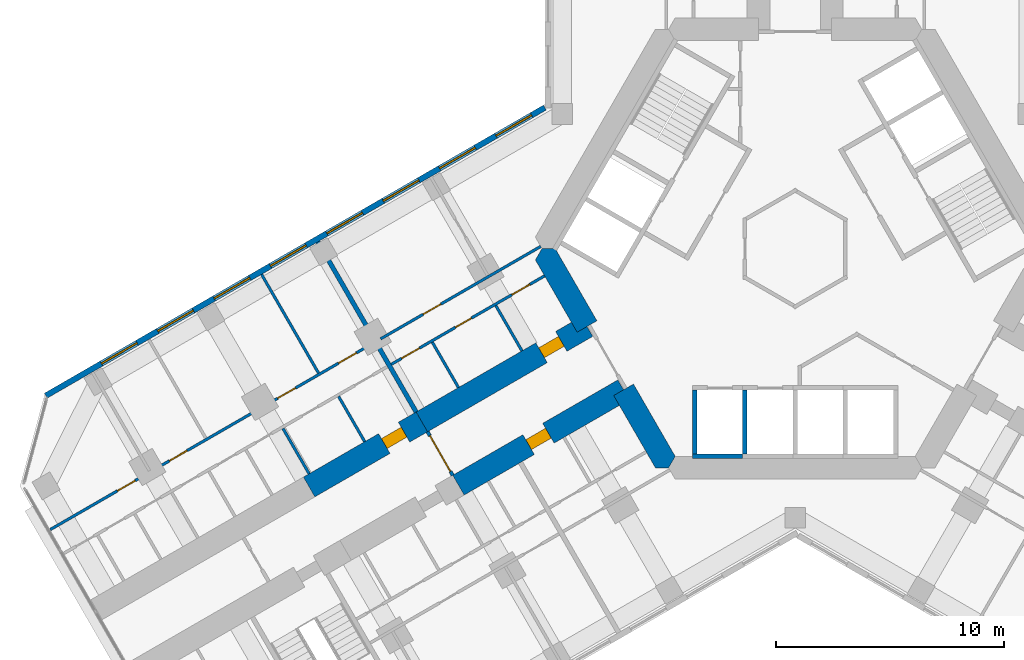
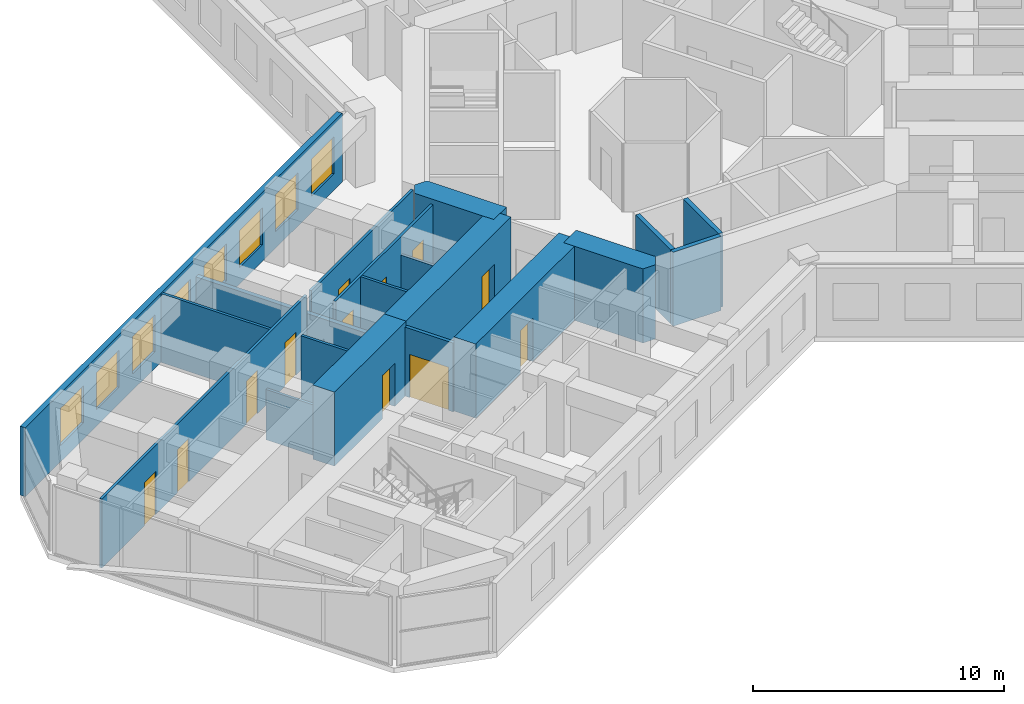
# One storey, part 12 of 21: 19 walls, 12 doors, 8 windows, 20 openings.
"""IFC4 building model written with IfcOpenShell, lengths in metres."""

from ifc_helpers import new_model, si_unit, direction, frame, frame_2d, origin, place, context, subcontext, project, spatial, polyline, rectangle, outline, extrude, material, layer, layer_set, type_object, element, fill, save


model = new_model("IFC4")

# Units and contexts
model_context = context("Model", 3, precision=1e-05, world=origin(), true_north=direction((0.0, 1.0)))
body_context = subcontext(model_context, "Body", "Model", "MODEL_VIEW")
ifc_project = project(units=[si_unit("LENGTHUNIT", "METRE"), si_unit("AREAUNIT", "SQUARE_METRE"), si_unit("VOLUMEUNIT", "CUBIC_METRE"), si_unit("PLANEANGLEUNIT", "RADIAN"), si_unit("MASSUNIT", "GRAM", prefix="KILO")], contexts=[model_context])

# Site, building, storey
site_placement = place(None, origin())
site = spatial("IfcSite", under=ifc_project, at=site_placement, CompositionType="ELEMENT")
building_placement = place(site_placement, origin())
building = spatial("IfcBuilding", under=site, at=building_placement, Name="Kosmar Iwan School Tower", CompositionType="ELEMENT")
storey_placement = place(building_placement, frame((0.0, 0.0, 98.800048828125)))
storey = spatial("IfcBuildingStorey", under=building, at=storey_placement, Name="L24", CompositionType="ELEMENT", Elevation=98.800048828125)

# Walls
ifc_material_1 = material(Name="Concrete C50/60", Category="concrete")
ifc_layer_1 = layer(ifc_material_1, 1.0)
ifc_layer_set_1 = layer_set([ifc_layer_1], Name="Core wall 1000")
wall_type_1 = type_object("IfcWallType", Name="Core wall 1000", PredefinedType="SHEAR", material=ifc_layer_set_1)
wall_1_placement = place(storey_placement, origin())
element("IfcWall", 1, at=wall_1_placement, inside=storey, type_object=wall_type_1, Name="Core wall F210a", PredefinedType="SHEAR", context=body_context, shape_type="SweptSolid", body=[
    extrude(outline(polyline([(-9.546875, -3.664306640625), (-8.680908203125, -3.164306640625), (-10.5078125, 0.0), (-11.085205078125, 0.0), (-11.373779296875, -0.5), (-9.546875, -3.664306640625)])), origin(), (0.0, 0.0, 1.0), 3.599853515625),
])
wall_2_placement = place(storey_placement, origin())
element("IfcWall", 2, at=wall_2_placement, inside=storey, type_object=wall_type_1, Name="Core wall F210b", PredefinedType="SHEAR", context=body_context, shape_type="SweptSolid", body=[
    extrude(outline(polyline([(-6.119873046875, -9.60009765625), (-5.54248046875, -9.60009765625), (-5.25390625, -9.10009765625), (-7.080810546875, -5.935546875), (-7.94677734375, -6.435546875), (-6.119873046875, -9.60009765625)])), origin(), (0.0, 0.0, 1.0), 3.599853515625),
])

# Wall, opening, door
ifc_material_2 = material(Name="Concrete C50/60", Category="concrete")
ifc_layer_2 = layer(ifc_material_2, 1.0)
ifc_layer_set_2 = layer_set([ifc_layer_2], Name="Corridor buttress wall 1000")
wall_type_2 = type_object("IfcWallType", Name="Corridor buttress wall 1000", PredefinedType="SHEAR", material=ifc_layer_set_2)
wall_3_placement = place(storey_placement, frame((-7.513916015625, -6.185546875, 0.0), z_axis=(0.0, 0.0, 1.0), x_axis=(-0.866019549707, -0.500010139422, 0.0)))
wall_3 = element("IfcWall", 3, at=wall_3_placement, inside=storey, type_object=wall_type_2, Name="Corridor wall BL", PredefinedType="SHEAR", context=body_context, shape_type="SweptSolid", body=[
    extrude(rectangle(XDim=8.349853515625, YDim=1.0, at=frame_2d((4.1748046875, 0.0))), origin(), (0.0, 0.0, 1.0), 3.599853515625),
])
opening_1_placement = place(wall_3_placement, frame((3.800048828125, 0.0, 0.0)))
opening_1 = element("IfcOpeningElement", 4, at=opening_1_placement, cuts=wall_3, Name="Opening D1", PredefinedType="OPENING", context=body_context, shape_type="SweptSolid", body=[
    extrude(rectangle(XDim=1.0, YDim=2.10009765625, at=frame_2d((0.5, 1.050048828125))), frame((0.0, 0.511962890625, 0.0), z_axis=(0.0, -1.0, 0.0), x_axis=(1.0, 0.0, 0.0)), (0.0, 0.0, 1.0), 1.02392578125),
])
ifc_material_3 = material(Name="Timber fire door in steel frame", Category="steel")
door_type_1 = type_object("IfcDoorType", Name="Flat entrance door 1000x2100", OperationType="SINGLE_SWING_LEFT", PredefinedType="DOOR", material=ifc_material_3)
door_1_placement = place(opening_1_placement, origin())
door_1 = element("IfcDoor", 5, at=door_1_placement, inside=storey, type_object=door_type_1, Name="Flat L24-BL1 entrance door", OperationType="SINGLE_SWING_LEFT", OverallHeight=2.10009765625, OverallWidth=1.0, PredefinedType="DOOR", context=body_context, shape_type="SweptSolid", body=[
    extrude(rectangle(XDim=1.0, YDim=2.10009765625, at=frame_2d((0.5, 1.050048828125))), frame((0.0, 0.25, 0.0), z_axis=(0.0, -1.0, 0.0), x_axis=(1.0, 0.0, 0.0)), (0.0, 0.0, 1.0), 0.5),
])
fill(opening_1, door_1)

wall_4_placement = place(storey_placement, frame((-9.11376953125, -3.414306640625, 0.0), z_axis=(0.0, 0.0, 1.0), x_axis=(-0.866026859388, -0.499997478812, 0.0)))
wall_4 = element("IfcWall", 6, at=wall_4_placement, inside=storey, type_object=wall_type_2, Name="Corridor wall BR", PredefinedType="SHEAR", context=body_context, shape_type="SweptSolid", body=[
    extrude(rectangle(XDim=8.35009765625, YDim=1.0, at=frame_2d((4.175048828125, 0.0))), origin(), (0.0, 0.0, 1.0), 3.599853515625),
])
opening_2_placement = place(wall_4_placement, frame((1.300048828125, 0.0, 0.0)))
opening_2 = element("IfcOpeningElement", 7, at=opening_2_placement, cuts=wall_4, Name="Opening D1", PredefinedType="OPENING", context=body_context, shape_type="SweptSolid", body=[
    extrude(rectangle(XDim=1.0, YDim=2.10009765625, at=frame_2d((0.5, 1.050048828125))), frame((0.0, 0.511962890625, 0.0), z_axis=(0.0, -1.0, 0.0), x_axis=(1.0, 0.0, 0.0)), (0.0, 0.0, 1.0), 1.02392578125),
])
door_2_placement = place(opening_2_placement, origin())
door_2 = element("IfcDoor", 8, at=door_2_placement, inside=storey, type_object=door_type_1, Name="Flat L24-BR1 entrance door", OperationType="SINGLE_SWING_LEFT", OverallHeight=2.10009765625, OverallWidth=1.0, PredefinedType="DOOR", context=body_context, shape_type="SweptSolid", body=[
    extrude(rectangle(XDim=1.0, YDim=2.10009765625, at=frame_2d((0.5, 1.050048828125))), frame((0.0, 0.25, 0.0), z_axis=(0.0, -1.0, 0.0), x_axis=(1.0, 0.0, 0.0)), (0.0, 0.0, 1.0), 0.5),
])
fill(opening_2, door_2)

wall_5_placement = place(storey_placement, frame((-16.34521484375, -7.58935546875, 0.0), z_axis=(0.0, 0.0, 1.0), x_axis=(-0.866015111908, -0.50001782563, 0.0)))
wall_5 = element("IfcWall", 9, at=wall_5_placement, inside=storey, type_object=wall_type_2, Name="Corridor wall BR bay 2", PredefinedType="SHEAR", context=body_context, shape_type="SweptSolid", body=[
    extrude(rectangle(XDim=5.699951171875, YDim=1.0, at=frame_2d((2.85009765625, 0.0))), origin(), (0.0, 0.0, 1.0), 3.599853515625),
])
opening_3_placement = place(wall_5_placement, frame((0.89990234375, 0.0, 0.0)))
opening_3 = element("IfcOpeningElement", 10, at=opening_3_placement, cuts=wall_5, Name="Opening D1", PredefinedType="OPENING", context=body_context, shape_type="SweptSolid", body=[
    extrude(rectangle(XDim=1.0, YDim=2.10009765625, at=frame_2d((0.5, 1.050048828125))), frame((0.0, 0.511962890625, 0.0), z_axis=(0.0, -1.0, 0.0), x_axis=(1.0, 0.0, 0.0)), (0.0, 0.0, 1.0), 1.02392578125),
])
door_3_placement = place(opening_3_placement, origin())
door_3 = element("IfcDoor", 11, at=door_3_placement, inside=storey, type_object=door_type_1, Name="Flat L24-BR2 entrance door", OperationType="SINGLE_SWING_LEFT", OverallHeight=2.10009765625, OverallWidth=1.0, PredefinedType="DOOR", context=body_context, shape_type="SweptSolid", body=[
    extrude(rectangle(XDim=1.0, YDim=2.10009765625, at=frame_2d((0.5, 1.050048828125))), frame((0.0, 0.25, 0.0), z_axis=(0.0, -1.0, 0.0), x_axis=(1.0, 0.0, 0.0)), (0.0, 0.0, 1.0), 0.5),
])
fill(opening_3, door_3)

ifc_material_4 = material(Name="Gypsum board on steel studs, fire-rated", Category="steel")
ifc_layer_3 = layer(ifc_material_4, 0.14990234375)
ifc_layer_set_3 = layer_set([ifc_layer_3], Name="Corridor end wall 150")
wall_type_3 = type_object("IfcWallType", Name="Corridor end wall 150", PredefinedType="PARTITIONING", material=ifc_layer_set_3)
wall_6_placement = place(storey_placement, frame((-16.09521484375, -8.0224609375, 0.0), z_axis=(0.0, 0.0, 1.0), x_axis=(0.50002983664, -0.866008176907, 0.0)))
wall_6 = element("IfcWall", 12, at=wall_6_placement, inside=storey, type_object=wall_type_3, Name="Partition L24-B-HW", PredefinedType="PARTITIONING", context=body_context, shape_type="SweptSolid", body=[
    extrude(rectangle(XDim=2.199951171875, YDim=0.14990234375, at=frame_2d((1.10009765625, 0.0))), origin(), (0.0, 0.0, 1.0), 3.349853515625),
])
opening_4_placement = place(wall_6_placement, frame((0.199951171875, 0.0, 0.0)))
opening_4 = element("IfcOpeningElement", 13, at=opening_4_placement, cuts=wall_6, Name="Opening D9", PredefinedType="OPENING", context=body_context, shape_type="SweptSolid", body=[
    extrude(rectangle(XDim=1.800048828125, YDim=2.10009765625, at=frame_2d((0.89990234375, 1.050048828125))), frame((0.0, 0.0869140625, 0.0), z_axis=(0.0, -1.0, 0.0), x_axis=(1.0, 0.0, 0.0)), (0.0, 0.0, 1.0), 0.173828125),
])
ifc_material_5 = material(Name="Steel framed glazed smoke door", Category="steel")
door_type_2 = type_object("IfcDoorType", Name="Corridor smoke door pair 1800x2100", OperationType="DOUBLE_DOOR_DOUBLE_SWING", PredefinedType="DOOR", material=ifc_material_5)
door_4_placement = place(opening_4_placement, origin())
door_4 = element("IfcDoor", 14, at=door_4_placement, inside=storey, type_object=door_type_2, Name="Entrance vestibule smoke doors L24-B", OperationType="DOUBLE_DOOR_DOUBLE_SWING", OverallHeight=2.10009765625, OverallWidth=1.800048828125, PredefinedType="DOOR", context=body_context, shape_type="SweptSolid", body=[
    extrude(rectangle(XDim=1.800048828125, YDim=2.10009765625, at=frame_2d((0.89990234375, 1.050048828125))), frame((0.0, 0.02490234375, 0.0), z_axis=(0.0, -1.0, 0.0), x_axis=(1.0, 0.0, 0.0)), (0.0, 0.0, 1.0), 0.050048828125),
])
fill(opening_4, door_4)

# Wall, openings, doors
ifc_material_6 = material(Name="Gypsum board on steel studs", Category="steel")
ifc_layer_4 = layer(ifc_material_6, 0.1201171875)
ifc_layer_set_4 = layer_set([ifc_layer_4], Name="Dwelling partition 120")
wall_type_4 = type_object("IfcWallType", Name="Dwelling partition 120", PredefinedType="PARTITIONING", material=ifc_layer_set_4)
wall_7_placement = place(storey_placement, frame((-10.971923828125, -1.1962890625, 0.0), z_axis=(0.0, 0.0, 1.0), x_axis=(-0.866024534185, -0.500001506187, 0.0)))
wall_7 = element("IfcWall", 15, at=wall_7_placement, inside=storey, type_object=wall_type_4, Name="Partition L24-BR1-W1", PredefinedType="PARTITIONING", context=body_context, shape_type="SweptSolid", body=[
    extrude(rectangle(XDim=7.75, YDim=0.1201171875, at=frame_2d((3.875, 0.0))), origin(), (0.0, 0.0, 1.0), 3.349853515625),
])
opening_5_placement = place(wall_7_placement, frame((0.75, 0.0, 0.0)))
opening_5 = element("IfcOpeningElement", 16, at=opening_5_placement, cuts=wall_7, Name="Opening D2", PredefinedType="OPENING", context=body_context, shape_type="SweptSolid", body=[
    extrude(rectangle(XDim=0.89990234375, YDim=2.10009765625, at=frame_2d((0.449951171875, 1.050048828125))), frame((0.0, 0.072021484375, 0.0), z_axis=(0.0, -1.0, 0.0), x_axis=(1.0, 0.0, 0.0)), (0.0, 0.0, 1.0), 0.14404296875),
])
opening_6_placement = place(wall_7_placement, frame((3.705078125, 0.0, 0.0)))
opening_6 = element("IfcOpeningElement", 17, at=opening_6_placement, cuts=wall_7, Name="Opening D3", PredefinedType="OPENING", context=body_context, shape_type="SweptSolid", body=[
    extrude(rectangle(XDim=0.800048828125, YDim=2.10009765625, at=frame_2d((0.39990234375, 1.050048828125))), frame((0.0, 0.072021484375, 0.0), z_axis=(0.0, -1.0, 0.0), x_axis=(1.0, 0.0, 0.0)), (0.0, 0.0, 1.0), 0.14404296875),
])
opening_7_placement = place(wall_7_placement, frame((6.330078125, 0.0, 0.0)))
opening_7 = element("IfcOpeningElement", 18, at=opening_7_placement, cuts=wall_7, Name="Opening D2", PredefinedType="OPENING", context=body_context, shape_type="SweptSolid", body=[
    extrude(rectangle(XDim=0.89990234375, YDim=2.10009765625, at=frame_2d((0.449951171875, 1.050048828125))), frame((0.0, 0.072021484375, 0.0), z_axis=(0.0, -1.0, 0.0), x_axis=(1.0, 0.0, 0.0)), (0.0, 0.0, 1.0), 0.14404296875),
])
ifc_material_7 = material(Name="Timber door in timber frame", Category="wood")
door_type_3 = type_object("IfcDoorType", Name="Internal door 900x2100", OperationType="SINGLE_SWING_LEFT", PredefinedType="DOOR", material=ifc_material_7)
door_5_placement = place(opening_5_placement, origin())
door_5 = element("IfcDoor", 19, at=door_5_placement, inside=storey, type_object=door_type_3, Name="Entrance hall door L24-BR1-S1", OperationType="SINGLE_SWING_LEFT", OverallHeight=2.10009765625, OverallWidth=0.89990234375, PredefinedType="DOOR", context=body_context, shape_type="SweptSolid", body=[
    extrude(rectangle(XDim=0.89990234375, YDim=2.10009765625, at=frame_2d((0.449951171875, 1.050048828125))), frame((0.0, 0.02490234375, 0.0), z_axis=(0.0, -1.0, 0.0), x_axis=(1.0, 0.0, 0.0)), (0.0, 0.0, 1.0), 0.050048828125),
])
fill(opening_5, door_5)
door_6_placement = place(opening_7_placement, origin())
door_6 = element("IfcDoor", 20, at=door_6_placement, inside=storey, type_object=door_type_3, Name="Pantry door L24-BR1-S3", OperationType="SINGLE_SWING_RIGHT", OverallHeight=2.10009765625, OverallWidth=0.89990234375, PredefinedType="DOOR", context=body_context, shape_type="SweptSolid", body=[
    extrude(rectangle(XDim=0.89990234375, YDim=2.10009765625, at=frame_2d((0.449951171875, 1.050048828125))), frame((0.0, 0.02490234375, 0.0), z_axis=(0.0, -1.0, 0.0), x_axis=(1.0, 0.0, 0.0)), (0.0, 0.0, 1.0), 0.050048828125),
])
fill(opening_7, door_6)
ifc_material_8 = material(Name="Timber door in timber frame", Category="wood")
door_type_4 = type_object("IfcDoorType", Name="Sanitary room door 800x2100", OperationType="SINGLE_SWING_LEFT", PredefinedType="DOOR", material=ifc_material_8)
door_7_placement = place(opening_6_placement, origin())
door_7 = element("IfcDoor", 21, at=door_7_placement, inside=storey, type_object=door_type_4, Name="Bathroom door L24-BR1-S2", OperationType="SINGLE_SWING_RIGHT", OverallHeight=2.10009765625, OverallWidth=0.800048828125, PredefinedType="DOOR", context=body_context, shape_type="SweptSolid", body=[
    extrude(rectangle(XDim=0.800048828125, YDim=2.10009765625, at=frame_2d((0.39990234375, 1.050048828125))), frame((0.0, 0.02490234375, 0.0), z_axis=(0.0, -1.0, 0.0), x_axis=(1.0, 0.0, 0.0)), (0.0, 0.0, 1.0), 0.050048828125),
])
fill(opening_6, door_7)

# Wall, opening, door
wall_8_placement = place(storey_placement, frame((-11.138916015625, 0.093017578125, 0.0), z_axis=(0.0, 0.0, 1.0), x_axis=(-0.866017937352, -0.500012932018, 0.0)))
wall_8 = element("IfcWall", 22, at=wall_8_placement, inside=storey, type_object=wall_type_4, Name="Partition L24-BR1-W2", PredefinedType="PARTITIONING", context=body_context, shape_type="SweptSolid", body=[
    extrude(rectangle(XDim=8.099853515625, YDim=0.1201171875, at=frame_2d((4.0498046875, 0.0))), origin(), (0.0, 0.0, 1.0), 3.349853515625),
])
opening_8_placement = place(wall_8_placement, frame((5.050048828125, 0.0, 0.0)))
opening_8 = element("IfcOpeningElement", 23, at=opening_8_placement, cuts=wall_8, Name="Opening D2", PredefinedType="OPENING", context=body_context, shape_type="SweptSolid", body=[
    extrude(rectangle(XDim=0.89990234375, YDim=2.10009765625, at=frame_2d((0.449951171875, 1.050048828125))), frame((0.0, 0.072021484375, 0.0), z_axis=(0.0, -1.0, 0.0), x_axis=(1.0, 0.0, 0.0)), (0.0, 0.0, 1.0), 0.14404296875),
])
door_8_placement = place(opening_8_placement, origin())
door_8 = element("IfcDoor", 24, at=door_8_placement, inside=storey, type_object=door_type_3, Name="Studio living room door L24-BR1-F2", OperationType="SINGLE_SWING_RIGHT", OverallHeight=2.10009765625, OverallWidth=0.89990234375, PredefinedType="DOOR", context=body_context, shape_type="SweptSolid", body=[
    extrude(rectangle(XDim=0.89990234375, YDim=2.10009765625, at=frame_2d((0.449951171875, 1.050048828125))), frame((0.0, 0.02490234375, 0.0), z_axis=(0.0, -1.0, 0.0), x_axis=(1.0, 0.0, 0.0)), (0.0, 0.0, 1.0), 0.050048828125),
])
fill(opening_8, door_8)

# Walls
wall_9_placement = place(storey_placement, frame((-11.9619140625, -4.4814453125, 0.0), z_axis=(0.0, 0.0, 1.0), x_axis=(-0.499968531483, 0.866043571379, 0.0)))
element("IfcWall", 25, at=wall_9_placement, inside=storey, type_object=wall_type_4, Name="Partition L24-BR1-Y1", PredefinedType="PARTITIONING", context=body_context, shape_type="SweptSolid", body=[
    extrude(rectangle(XDim=2.290283203125, YDim=0.1201171875, at=frame_2d((1.14501953125, 0.0))), origin(), (0.0, 0.0, 1.0), 2.449951171875),
])
wall_10_placement = place(storey_placement, frame((-14.741943359375, -6.08642578125, 0.0), z_axis=(0.0, 0.0, 1.0), x_axis=(-0.499968531483, 0.866043571379, 0.0)))
element("IfcWall", 26, at=wall_10_placement, inside=storey, type_object=wall_type_4, Name="Partition L24-BR1-Y2", PredefinedType="PARTITIONING", context=body_context, shape_type="SweptSolid", body=[
    extrude(rectangle(XDim=2.290283203125, YDim=0.1201171875, at=frame_2d((1.14501953125, 0.0))), origin(), (0.0, 0.0, 1.0), 3.349853515625),
])

# Wall, openings, doors
wall_11_placement = place(storey_placement, frame((-18.456787109375, -4.1318359375, 0.0), z_axis=(0.0, 0.0, 1.0), x_axis=(-0.866023907196, -0.500002592159, 0.0)))
wall_11 = element("IfcWall", 27, at=wall_11_placement, inside=storey, type_object=wall_type_4, Name="Partition L24-BR2-W2", PredefinedType="PARTITIONING", context=body_context, shape_type="SweptSolid", body=[
    extrude(rectangle(XDim=16.34521484375, YDim=0.1201171875, at=frame_2d((8.172607421875, 0.0))), origin(), (0.0, 0.0, 1.0), 3.349853515625),
])
opening_9_placement = place(wall_11_placement, frame((0.875, 0.0, 0.0)))
opening_9 = element("IfcOpeningElement", 28, at=opening_9_placement, cuts=wall_11, Name="Opening D2", PredefinedType="OPENING", context=body_context, shape_type="SweptSolid", body=[
    extrude(rectangle(XDim=0.89990234375, YDim=2.10009765625, at=frame_2d((0.449951171875, 1.050048828125))), frame((0.0, 0.072021484375, 0.0), z_axis=(0.0, -1.0, 0.0), x_axis=(1.0, 0.0, 0.0)), (0.0, 0.0, 1.0), 0.14404296875),
])
opening_10_placement = place(wall_11_placement, frame((3.949951171875, 0.0, 0.0)))
opening_10 = element("IfcOpeningElement", 29, at=opening_10_placement, cuts=wall_11, Name="Opening D2", PredefinedType="OPENING", context=body_context, shape_type="SweptSolid", body=[
    extrude(rectangle(XDim=0.89990234375, YDim=2.10009765625, at=frame_2d((0.449951171875, 1.050048828125))), frame((0.0, 0.072021484375, 0.0), z_axis=(0.0, -1.0, 0.0), x_axis=(1.0, 0.0, 0.0)), (0.0, 0.0, 1.0), 0.14404296875),
])
opening_11_placement = place(wall_11_placement, frame((9.425048828125, 0.0, 0.0)))
opening_11 = element("IfcOpeningElement", 30, at=opening_11_placement, cuts=wall_11, Name="Opening D2", PredefinedType="OPENING", context=body_context, shape_type="SweptSolid", body=[
    extrude(rectangle(XDim=0.89990234375, YDim=2.10009765625, at=frame_2d((0.449951171875, 1.050048828125))), frame((0.0, 0.072021484375, 0.0), z_axis=(0.0, -1.0, 0.0), x_axis=(1.0, 0.0, 0.0)), (0.0, 0.0, 1.0), 0.14404296875),
])
opening_12_placement = place(wall_11_placement, frame((12.050048828125, 0.0, 0.0)))
opening_12 = element("IfcOpeningElement", 31, at=opening_12_placement, cuts=wall_11, Name="Opening D2", PredefinedType="OPENING", context=body_context, shape_type="SweptSolid", body=[
    extrude(rectangle(XDim=0.89990234375, YDim=2.10009765625, at=frame_2d((0.449951171875, 1.050048828125))), frame((0.0, 0.072021484375, 0.0), z_axis=(0.0, -1.0, 0.0), x_axis=(1.0, 0.0, 0.0)), (0.0, 0.0, 1.0), 0.14404296875),
])
door_9_placement = place(opening_9_placement, origin())
door_9 = element("IfcDoor", 32, at=door_9_placement, inside=storey, type_object=door_type_3, Name="Bedroom 1 door L24-BR2-F1", OperationType="SINGLE_SWING_LEFT", OverallHeight=2.10009765625, OverallWidth=0.89990234375, PredefinedType="DOOR", context=body_context, shape_type="SweptSolid", body=[
    extrude(rectangle(XDim=0.89990234375, YDim=2.10009765625, at=frame_2d((0.449951171875, 1.050048828125))), frame((0.0, 0.02490234375, 0.0), z_axis=(0.0, -1.0, 0.0), x_axis=(1.0, 0.0, 0.0)), (0.0, 0.0, 1.0), 0.050048828125),
])
fill(opening_9, door_9)
door_10_placement = place(opening_10_placement, origin())
door_10 = element("IfcDoor", 33, at=door_10_placement, inside=storey, type_object=door_type_3, Name="Living room and kitchen door L24-BR2-F2", OperationType="SINGLE_SWING_LEFT", OverallHeight=2.10009765625, OverallWidth=0.89990234375, PredefinedType="DOOR", context=body_context, shape_type="SweptSolid", body=[
    extrude(rectangle(XDim=0.89990234375, YDim=2.10009765625, at=frame_2d((0.449951171875, 1.050048828125))), frame((0.0, 0.02490234375, 0.0), z_axis=(0.0, -1.0, 0.0), x_axis=(1.0, 0.0, 0.0)), (0.0, 0.0, 1.0), 0.050048828125),
])
fill(opening_10, door_10)
door_11_placement = place(opening_11_placement, origin())
door_11 = element("IfcDoor", 34, at=door_11_placement, inside=storey, type_object=door_type_3, Name="Bedroom 2 door L24-BR2-F3", OperationType="SINGLE_SWING_RIGHT", OverallHeight=2.10009765625, OverallWidth=0.89990234375, PredefinedType="DOOR", context=body_context, shape_type="SweptSolid", body=[
    extrude(rectangle(XDim=0.89990234375, YDim=2.10009765625, at=frame_2d((0.449951171875, 1.050048828125))), frame((0.0, 0.02490234375, 0.0), z_axis=(0.0, -1.0, 0.0), x_axis=(1.0, 0.0, 0.0)), (0.0, 0.0, 1.0), 0.050048828125),
])
fill(opening_11, door_11)
door_12_placement = place(opening_12_placement, origin())
door_12 = element("IfcDoor", 35, at=door_12_placement, inside=storey, type_object=door_type_3, Name="Bedroom 3 door L24-BR2-F4", OperationType="SINGLE_SWING_RIGHT", OverallHeight=2.10009765625, OverallWidth=0.89990234375, PredefinedType="DOOR", context=body_context, shape_type="SweptSolid", body=[
    extrude(rectangle(XDim=0.89990234375, YDim=2.10009765625, at=frame_2d((0.449951171875, 1.050048828125))), frame((0.0, 0.02490234375, 0.0), z_axis=(0.0, -1.0, 0.0), x_axis=(1.0, 0.0, 0.0)), (0.0, 0.0, 1.0), 0.050048828125),
])
fill(opening_12, door_12)

# Walls
wall_12_placement = place(storey_placement, frame((-20.868408203125, -5.455078125, 0.0), z_axis=(0.0, 0.0, 1.0), x_axis=(-0.499975153383, 0.86603974851, 0.0)))
element("IfcWall", 36, at=wall_12_placement, inside=storey, type_object=wall_type_4, Name="Partition L24-BR2-X1", PredefinedType="PARTITIONING", context=body_context, shape_type="SweptSolid", body=[
    extrude(rectangle(XDim=4.989990234375, YDim=0.1201171875, at=frame_2d((2.4951171875, 0.0))), origin(), (0.0, 0.0, 1.0), 3.349853515625),
])
wall_13_placement = place(storey_placement, frame((-18.846923828125, -8.456298828125, 0.0), z_axis=(0.0, 0.0, 1.0), x_axis=(-0.500014693593, 0.866016920268, 0.0)))
element("IfcWall", 37, at=wall_13_placement, inside=storey, type_object=wall_type_4, Name="Partition L24-BR2-Y1", PredefinedType="PARTITIONING", context=body_context, shape_type="SweptSolid", body=[
    extrude(rectangle(XDim=2.2900390625, YDim=0.1201171875, at=frame_2d((1.14501953125, 0.0))), origin(), (0.0, 0.0, 1.0), 3.349853515625),
])
wall_14_placement = place(storey_placement, frame((-21.2802734375, -9.861328125, 0.0), z_axis=(0.0, 0.0, 1.0), x_axis=(-0.500014693593, 0.866016920268, 0.0)))
element("IfcWall", 38, at=wall_14_placement, inside=storey, type_object=wall_type_4, Name="Partition L24-BR2-Y2", PredefinedType="PARTITIONING", context=body_context, shape_type="SweptSolid", body=[
    extrude(rectangle(XDim=2.2900390625, YDim=0.1201171875, at=frame_2d((1.14501953125, 0.0))), origin(), (0.0, 0.0, 1.0), 2.449951171875),
])

# Wall, openings, windows
ifc_material_9 = material(Name="Black aluminium rainscreen on insulated framing", Category="aluminium")
ifc_layer_5 = layer(ifc_material_9, 0.25)
ifc_layer_set_5 = layer_set([ifc_layer_5], Name="External wall rainscreen 250")
wall_type_5 = type_object("IfcWallType", Name="External wall rainscreen 250", PredefinedType="SOLIDWALL", material=ifc_layer_set_5)
wall_15_placement = place(storey_placement, frame((-10.962890625, 6.170166015625, 0.0), z_axis=(0.0, 0.0, 1.0), x_axis=(-0.86602796634, -0.499995561497, 0.0)))
wall_15 = element("IfcWall", 39, at=wall_15_placement, inside=storey, type_object=wall_type_5, Name="External wall BR L24", PredefinedType="SOLIDWALL", context=body_context, shape_type="SweptSolid", body=[
    extrude(rectangle(XDim=25.226318359375, YDim=0.25, at=frame_2d((12.61328125, 0.0))), origin(), (0.0, 0.0, 1.0), 3.349853515625),
])
opening_13_placement = place(wall_15_placement, frame((0.666015625, 0.0, 0.800048828125)))
opening_13 = element("IfcOpeningElement", 40, at=opening_13_placement, cuts=wall_15, Name="Opening W1", PredefinedType="OPENING", context=body_context, shape_type="SweptSolid", body=[
    extrude(rectangle(XDim=1.800048828125, YDim=1.800048828125, at=frame_2d((0.89990234375, 0.89990234375))), frame((0.0, 0.136962890625, 0.0), z_axis=(0.0, -1.0, 0.0), x_axis=(1.0, 0.0, 0.0)), (0.0, 0.0, 1.0), 0.27392578125),
])
opening_14_placement = place(wall_15_placement, frame((3.51611328125, 0.0, 0.800048828125)))
opening_14 = element("IfcOpeningElement", 41, at=opening_14_placement, cuts=wall_15, Name="Opening W1", PredefinedType="OPENING", context=body_context, shape_type="SweptSolid", body=[
    extrude(rectangle(XDim=1.800048828125, YDim=1.800048828125, at=frame_2d((0.89990234375, 0.89990234375))), frame((0.0, 0.136962890625, 0.0), z_axis=(0.0, -1.0, 0.0), x_axis=(1.0, 0.0, 0.0)), (0.0, 0.0, 1.0), 0.27392578125),
])
opening_15_placement = place(wall_15_placement, frame((6.365966796875, 0.0, 0.800048828125)))
opening_15 = element("IfcOpeningElement", 42, at=opening_15_placement, cuts=wall_15, Name="Opening W1", PredefinedType="OPENING", context=body_context, shape_type="SweptSolid", body=[
    extrude(rectangle(XDim=1.800048828125, YDim=1.800048828125, at=frame_2d((0.89990234375, 0.89990234375))), frame((0.0, 0.136962890625, 0.0), z_axis=(0.0, -1.0, 0.0), x_axis=(1.0, 0.0, 0.0)), (0.0, 0.0, 1.0), 0.27392578125),
])
opening_16_placement = place(wall_15_placement, frame((9.216064453125, 0.0, 0.800048828125)))
opening_16 = element("IfcOpeningElement", 43, at=opening_16_placement, cuts=wall_15, Name="Opening W1", PredefinedType="OPENING", context=body_context, shape_type="SweptSolid", body=[
    extrude(rectangle(XDim=1.800048828125, YDim=1.800048828125, at=frame_2d((0.89990234375, 0.89990234375))), frame((0.0, 0.136962890625, 0.0), z_axis=(0.0, -1.0, 0.0), x_axis=(1.0, 0.0, 0.0)), (0.0, 0.0, 1.0), 0.27392578125),
])
opening_17_placement = place(wall_15_placement, frame((12.06591796875, 0.0, 0.800048828125)))
opening_17 = element("IfcOpeningElement", 44, at=opening_17_placement, cuts=wall_15, Name="Opening W1", PredefinedType="OPENING", context=body_context, shape_type="SweptSolid", body=[
    extrude(rectangle(XDim=1.800048828125, YDim=1.800048828125, at=frame_2d((0.89990234375, 0.89990234375))), frame((0.0, 0.136962890625, 0.0), z_axis=(0.0, -1.0, 0.0), x_axis=(1.0, 0.0, 0.0)), (0.0, 0.0, 1.0), 0.27392578125),
])
opening_18_placement = place(wall_15_placement, frame((14.916015625, 0.0, 0.800048828125)))
opening_18 = element("IfcOpeningElement", 45, at=opening_18_placement, cuts=wall_15, Name="Opening W1", PredefinedType="OPENING", context=body_context, shape_type="SweptSolid", body=[
    extrude(rectangle(XDim=1.800048828125, YDim=1.800048828125, at=frame_2d((0.89990234375, 0.89990234375))), frame((0.0, 0.136962890625, 0.0), z_axis=(0.0, -1.0, 0.0), x_axis=(1.0, 0.0, 0.0)), (0.0, 0.0, 1.0), 0.27392578125),
])
opening_19_placement = place(wall_15_placement, frame((17.76611328125, 0.0, 0.800048828125)))
opening_19 = element("IfcOpeningElement", 46, at=opening_19_placement, cuts=wall_15, Name="Opening W1", PredefinedType="OPENING", context=body_context, shape_type="SweptSolid", body=[
    extrude(rectangle(XDim=1.800048828125, YDim=1.800048828125, at=frame_2d((0.89990234375, 0.89990234375))), frame((0.0, 0.136962890625, 0.0), z_axis=(0.0, -1.0, 0.0), x_axis=(1.0, 0.0, 0.0)), (0.0, 0.0, 1.0), 0.27392578125),
])
opening_20_placement = place(wall_15_placement, frame((20.615966796875, 0.0, 0.800048828125)))
opening_20 = element("IfcOpeningElement", 47, at=opening_20_placement, cuts=wall_15, Name="Opening W1", PredefinedType="OPENING", context=body_context, shape_type="SweptSolid", body=[
    extrude(rectangle(XDim=1.800048828125, YDim=1.800048828125, at=frame_2d((0.89990234375, 0.89990234375))), frame((0.0, 0.136962890625, 0.0), z_axis=(0.0, -1.0, 0.0), x_axis=(1.0, 0.0, 0.0)), (0.0, 0.0, 1.0), 0.27392578125),
])
ifc_material_10 = material(Name="Black aluminium frame with dark triple glazing", Category="aluminium")
window_type = type_object("IfcWindowType", Name="Window 1800x1800", PartitioningType="SINGLE_PANEL", PredefinedType="WINDOW", material=ifc_material_10)
window_1_placement = place(opening_13_placement, origin())
window_1 = element("IfcWindow", 48, at=window_1_placement, inside=storey, type_object=window_type, Name="Window BR L24 -1", OverallHeight=1.800048828125, OverallWidth=1.800048828125, PartitioningType="SINGLE_PANEL", PredefinedType="WINDOW", context=body_context, shape_type="SweptSolid", body=[
    extrude(rectangle(XDim=1.800048828125, YDim=1.800048828125, at=frame_2d((0.89990234375, 0.89990234375))), frame((0.0, 0.030029296875, 0.0), z_axis=(0.0, -1.0, 0.0), x_axis=(1.0, 0.0, 0.0)), (0.0, 0.0, 1.0), 0.06005859375),
])
fill(opening_13, window_1)
window_2_placement = place(opening_14_placement, origin())
window_2 = element("IfcWindow", 49, at=window_2_placement, inside=storey, type_object=window_type, Name="Window BR L24 0", OverallHeight=1.800048828125, OverallWidth=1.800048828125, PartitioningType="SINGLE_PANEL", PredefinedType="WINDOW", context=body_context, shape_type="SweptSolid", body=[
    extrude(rectangle(XDim=1.800048828125, YDim=1.800048828125, at=frame_2d((0.89990234375, 0.89990234375))), frame((0.0, 0.030029296875, 0.0), z_axis=(0.0, -1.0, 0.0), x_axis=(1.0, 0.0, 0.0)), (0.0, 0.0, 1.0), 0.06005859375),
])
fill(opening_14, window_2)
window_3_placement = place(opening_15_placement, origin())
window_3 = element("IfcWindow", 50, at=window_3_placement, inside=storey, type_object=window_type, Name="Window BR L24 1", OverallHeight=1.800048828125, OverallWidth=1.800048828125, PartitioningType="SINGLE_PANEL", PredefinedType="WINDOW", context=body_context, shape_type="SweptSolid", body=[
    extrude(rectangle(XDim=1.800048828125, YDim=1.800048828125, at=frame_2d((0.89990234375, 0.89990234375))), frame((0.0, 0.030029296875, 0.0), z_axis=(0.0, -1.0, 0.0), x_axis=(1.0, 0.0, 0.0)), (0.0, 0.0, 1.0), 0.06005859375),
])
fill(opening_15, window_3)
window_4_placement = place(opening_16_placement, origin())
window_4 = element("IfcWindow", 51, at=window_4_placement, inside=storey, type_object=window_type, Name="Window BR L24 2", OverallHeight=1.800048828125, OverallWidth=1.800048828125, PartitioningType="SINGLE_PANEL", PredefinedType="WINDOW", context=body_context, shape_type="SweptSolid", body=[
    extrude(rectangle(XDim=1.800048828125, YDim=1.800048828125, at=frame_2d((0.89990234375, 0.89990234375))), frame((0.0, 0.030029296875, 0.0), z_axis=(0.0, -1.0, 0.0), x_axis=(1.0, 0.0, 0.0)), (0.0, 0.0, 1.0), 0.06005859375),
])
fill(opening_16, window_4)
window_5_placement = place(opening_17_placement, origin())
window_5 = element("IfcWindow", 52, at=window_5_placement, inside=storey, type_object=window_type, Name="Window BR L24 3", OverallHeight=1.800048828125, OverallWidth=1.800048828125, PartitioningType="SINGLE_PANEL", PredefinedType="WINDOW", context=body_context, shape_type="SweptSolid", body=[
    extrude(rectangle(XDim=1.800048828125, YDim=1.800048828125, at=frame_2d((0.89990234375, 0.89990234375))), frame((0.0, 0.030029296875, 0.0), z_axis=(0.0, -1.0, 0.0), x_axis=(1.0, 0.0, 0.0)), (0.0, 0.0, 1.0), 0.06005859375),
])
fill(opening_17, window_5)
window_6_placement = place(opening_18_placement, origin())
window_6 = element("IfcWindow", 53, at=window_6_placement, inside=storey, type_object=window_type, Name="Window BR L24 4", OverallHeight=1.800048828125, OverallWidth=1.800048828125, PartitioningType="SINGLE_PANEL", PredefinedType="WINDOW", context=body_context, shape_type="SweptSolid", body=[
    extrude(rectangle(XDim=1.800048828125, YDim=1.800048828125, at=frame_2d((0.89990234375, 0.89990234375))), frame((0.0, 0.030029296875, 0.0), z_axis=(0.0, -1.0, 0.0), x_axis=(1.0, 0.0, 0.0)), (0.0, 0.0, 1.0), 0.06005859375),
])
fill(opening_18, window_6)
window_7_placement = place(opening_19_placement, origin())
window_7 = element("IfcWindow", 54, at=window_7_placement, inside=storey, type_object=window_type, Name="Window BR L24 5", OverallHeight=1.800048828125, OverallWidth=1.800048828125, PartitioningType="SINGLE_PANEL", PredefinedType="WINDOW", context=body_context, shape_type="SweptSolid", body=[
    extrude(rectangle(XDim=1.800048828125, YDim=1.800048828125, at=frame_2d((0.89990234375, 0.89990234375))), frame((0.0, 0.030029296875, 0.0), z_axis=(0.0, -1.0, 0.0), x_axis=(1.0, 0.0, 0.0)), (0.0, 0.0, 1.0), 0.06005859375),
])
fill(opening_19, window_7)
window_8_placement = place(opening_20_placement, origin())
window_8 = element("IfcWindow", 55, at=window_8_placement, inside=storey, type_object=window_type, Name="Window BR L24 6", OverallHeight=1.800048828125, OverallWidth=1.800048828125, PartitioningType="SINGLE_PANEL", PredefinedType="WINDOW", context=body_context, shape_type="SweptSolid", body=[
    extrude(rectangle(XDim=1.800048828125, YDim=1.800048828125, at=frame_2d((0.89990234375, 0.89990234375))), frame((0.0, 0.030029296875, 0.0), z_axis=(0.0, -1.0, 0.0), x_axis=(1.0, 0.0, 0.0)), (0.0, 0.0, 1.0), 0.06005859375),
])
fill(opening_20, window_8)

# Walls
ifc_material_11 = material(Name="Concrete C50/60", Category="concrete")
ifc_layer_6 = layer(ifc_material_11, 0.199951171875)
ifc_layer_set_6 = layer_set([ifc_layer_6], Name="Lift shaft wall 200")
wall_type_6 = type_object("IfcWallType", Name="Lift shaft wall 200", PredefinedType="SHEAR", material=ifc_layer_set_6)
wall_16_placement = place(storey_placement, frame((-4.5, -9.10009765625, 0.0), z_axis=(0.0, 0.0, 1.0), x_axis=(1.0, 0.0, 0.0)))
element("IfcWall", 56, at=wall_16_placement, inside=storey, type_object=wall_type_6, Name="Lift and stair back wall BC", PredefinedType="SHEAR", context=body_context, shape_type="SweptSolid", body=[
    extrude(rectangle(XDim=2.199951171875, YDim=0.199951171875, at=frame_2d((1.10009765625, 0.0))), origin(), (0.0, 0.0, 1.0), 3.599853515625),
])
for number, where, z_axis, x_axis, name in (
    (57, (-4.39990234375, -6.199951171875, 0.0), (0.0, 0.0, 1.0), (0.0, -1.0, 0.0), "Lift shaft wall BC 0"),
    (58, (-2.199951171875, -6.199951171875, 0.0), (0.0, 0.0, 1.0), (0.0, -1.0, 0.0), "Lift shaft wall BC 1"),
):
    element("IfcWall", number, at=place(storey_placement, frame(where, z_axis=z_axis, x_axis=x_axis)), inside=storey, type_object=wall_type_6, Name=name, PredefinedType="SHEAR", context=body_context, shape_type="SweptSolid", body=[
        extrude(rectangle(XDim=2.800048828125, YDim=0.199951171875, at=frame_2d((1.39990234375, 0.0))), origin(), (0.0, 0.0, 1.0), 3.599853515625),
    ])
ifc_material_12 = material(Name="Concrete block masonry", Category="masonry")
ifc_layer_7 = layer(ifc_material_12, 0.199951171875)
ifc_layer_set_7 = layer_set([ifc_layer_7], Name="Party wall 200")
wall_type_7 = type_object("IfcWallType", Name="Party wall 200", PredefinedType="PARTITIONING", material=ifc_layer_set_7)
wall_17_placement = place(storey_placement, frame((-16.59521484375, -7.15625, 0.0), z_axis=(0.0, 0.0, 1.0), x_axis=(-0.500007509209, 0.866021068297, 0.0)))
element("IfcWall", 59, at=wall_17_placement, inside=storey, type_object=wall_type_7, Name="Partition L24-BR2-PW", PredefinedType="PARTITIONING", context=body_context, shape_type="SweptSolid", body=[
    extrude(rectangle(XDim=8.599853515625, YDim=0.199951171875, at=frame_2d((4.2998046875, 0.0))), origin(), (0.0, 0.0, 1.0), 2.449951171875),
])

save(model, "model.ifc")
